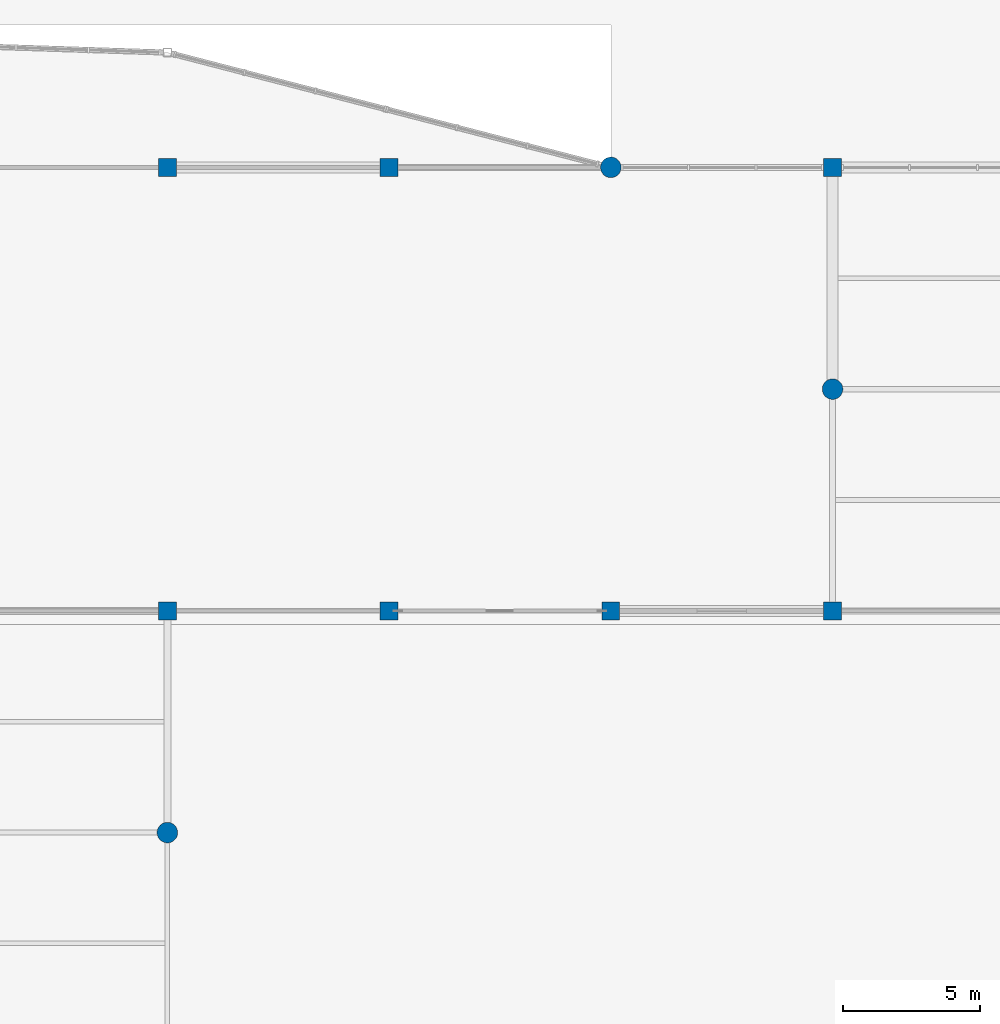
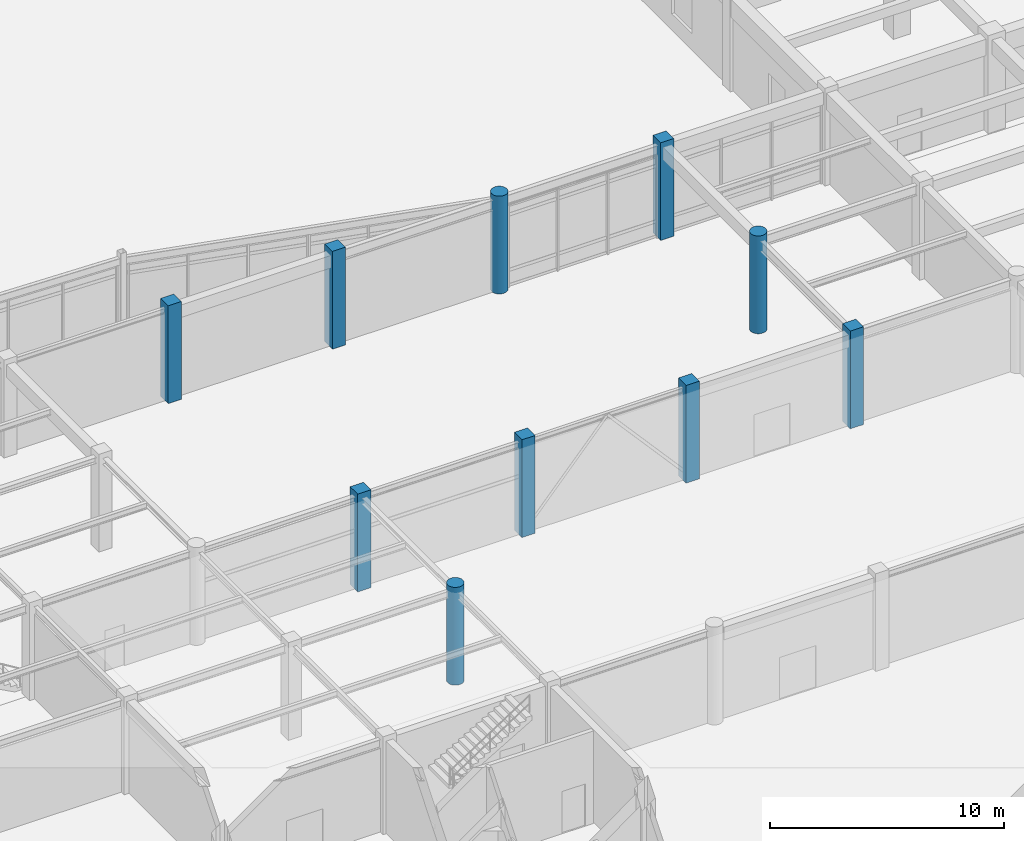
# One storey, part 6 of 99: 10 columns.
"""IFC4 building model written with IfcOpenShell, lengths in metres."""

from ifc_helpers import new_model, si_unit, direction, frame, origin, origin_2d, place, context, subcontext, project, spatial, rectangle, circle, extrude, material, material_profile, profile_set, type_object, element, save


model = new_model("IFC4")

# Units and contexts
model_context = context("Model", 3, precision=1e-05, world=origin(), true_north=direction((0.0, 1.0)))
body_context = subcontext(model_context, "Body", "Model", "MODEL_VIEW")
ifc_project = project(units=[si_unit("LENGTHUNIT", "METRE"), si_unit("AREAUNIT", "SQUARE_METRE"), si_unit("VOLUMEUNIT", "CUBIC_METRE"), si_unit("PLANEANGLEUNIT", "RADIAN"), si_unit("MASSUNIT", "GRAM", prefix="KILO")], contexts=[model_context])

# Site, building, storey
site_placement = place(None, origin())
site = spatial("IfcSite", under=ifc_project, at=site_placement, CompositionType="ELEMENT")
building_placement = place(site_placement, origin())
building = spatial("IfcBuilding", under=site, at=building_placement, Name="Vaudrelin Polytechnic", CompositionType="ELEMENT")
storey_placement = place(building_placement, origin())
storey = spatial("IfcBuildingStorey", under=building, at=storey_placement, Name="L00", CompositionType="ELEMENT", Elevation=0.0)

# Columns
ifc_material_1 = material(Name="Concrete 40 MPa", Category="concrete")
ifc_material_profile_1 = material_profile(ifc_material_1, rectangle(XDim=0.64990234375, YDim=0.64990234375, at=origin_2d()), Name="RC650x650")
ifc_profile_set_1 = profile_set([ifc_material_profile_1], Name="Concrete 40 MPa")
column_type_1 = type_object("IfcColumnType", Name="COL-C-RC650", PredefinedType="COLUMN", material=ifc_profile_set_1)
for number, where, z_axis, x_axis, name in (
    (1, (97.199951171875, 32.39990234375, 0.0), (0.0, 0.0, 1.0), (1.0, 0.0, 0.0), "Column L00 13-5"),
    (2, (97.199951171875, 48.60009765625, 0.0), (0.0, 0.0, 1.0), (1.0, 0.0, 0.0), "Column L00 13-7"),
    (3, (105.300048828125, 32.39990234375, 0.0), (0.0, 0.0, 1.0), (1.0, 0.0, 0.0), "Column L00 14-5"),
    (4, (105.300048828125, 48.60009765625, 0.0), (0.0, 0.0, 1.0), (1.0, 0.0, 0.0), "Column L00 14-7"),
    (5, (113.39990234375, 32.39990234375, 0.0), (0.0, 0.0, 1.0), (1.0, 0.0, 0.0), "Column L00 15-5"),
    (6, (121.5, 32.39990234375, 0.0), (0.0, 0.0, 1.0), (1.0, 0.0, 0.0), "Column L00 16-5"),
    (7, (121.5, 48.60009765625, 0.0), (0.0, 0.0, 1.0), (1.0, 0.0, 0.0), "Column L00 16-7"),
):
    element("IfcColumn", number, at=place(storey_placement, frame(where, z_axis=z_axis, x_axis=x_axis)), inside=storey, type_object=column_type_1, Name=name, PredefinedType="COLUMN", context=body_context, shape_type="SweptSolid", body=[
        extrude(rectangle(XDim=0.64990234375, YDim=0.64990234375, at=origin_2d()), origin(), (0.0, 0.0, 1.0), 5.10009765625),
    ])
ifc_material_2 = material(Name="Concrete 50 MPa", Category="concrete")
ifc_material_profile_2 = material_profile(ifc_material_2, circle(Radius=0.375, at=origin_2d()), Name="RCCOL750")
ifc_profile_set_2 = profile_set([ifc_material_profile_2], Name="Concrete 50 MPa")
column_type_2 = type_object("IfcColumnType", Name="COL-C-RCD750", PredefinedType="COLUMN", material=ifc_profile_set_2)
for number, where, z_axis, x_axis, name in (
    (8, (97.199951171875, 24.300048828125, 0.0), (0.0, 0.0, 1.0), (1.0, 0.0, 0.0), "Column L00 13-4"),
    (9, (113.39990234375, 48.60009765625, 0.0), (0.0, 0.0, 1.0), (1.0, 0.0, 0.0), "Column L00 15-7"),
    (10, (121.5, 40.5, 0.0), (0.0, 0.0, 1.0), (1.0, 0.0, 0.0), "Column L00 16-6"),
):
    element("IfcColumn", number, at=place(storey_placement, frame(where, z_axis=z_axis, x_axis=x_axis)), inside=storey, type_object=column_type_2, Name=name, PredefinedType="COLUMN", context=body_context, shape_type="SweptSolid", body=[
        extrude(circle(Radius=0.375, at=origin_2d()), origin(), (0.0, 0.0, 1.0), 5.10009765625),
    ])

save(model, "model.ifc")
